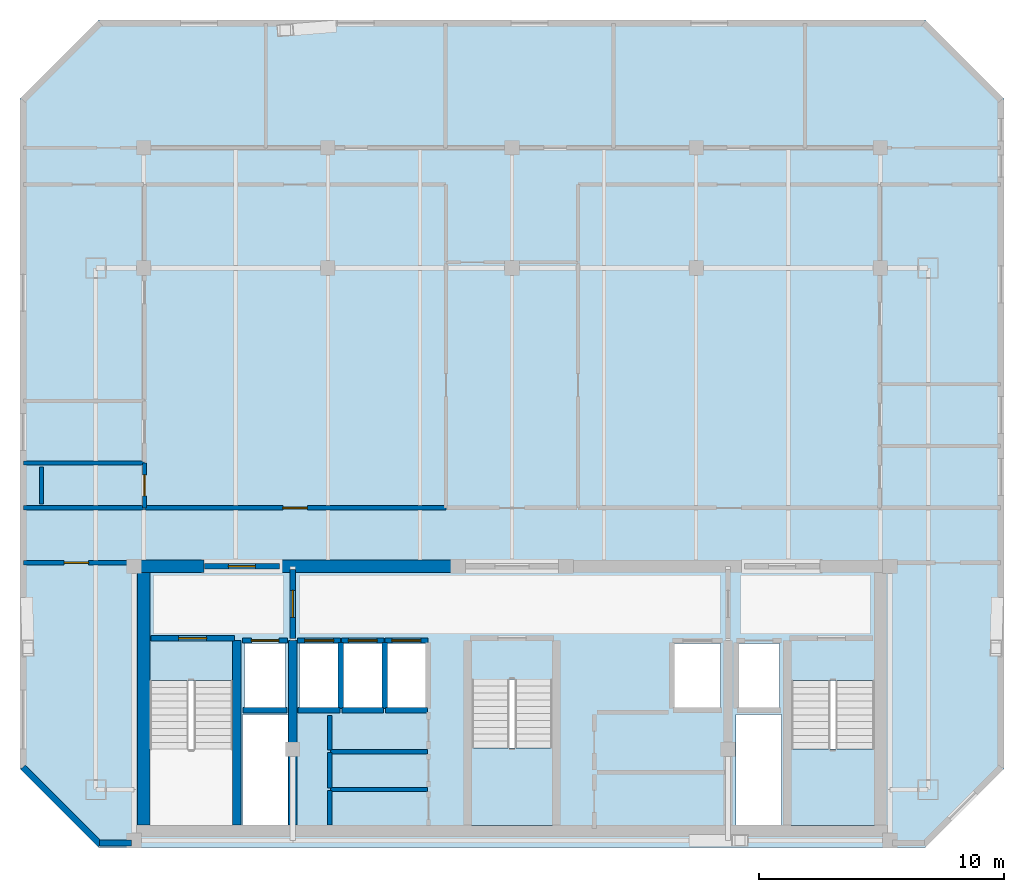
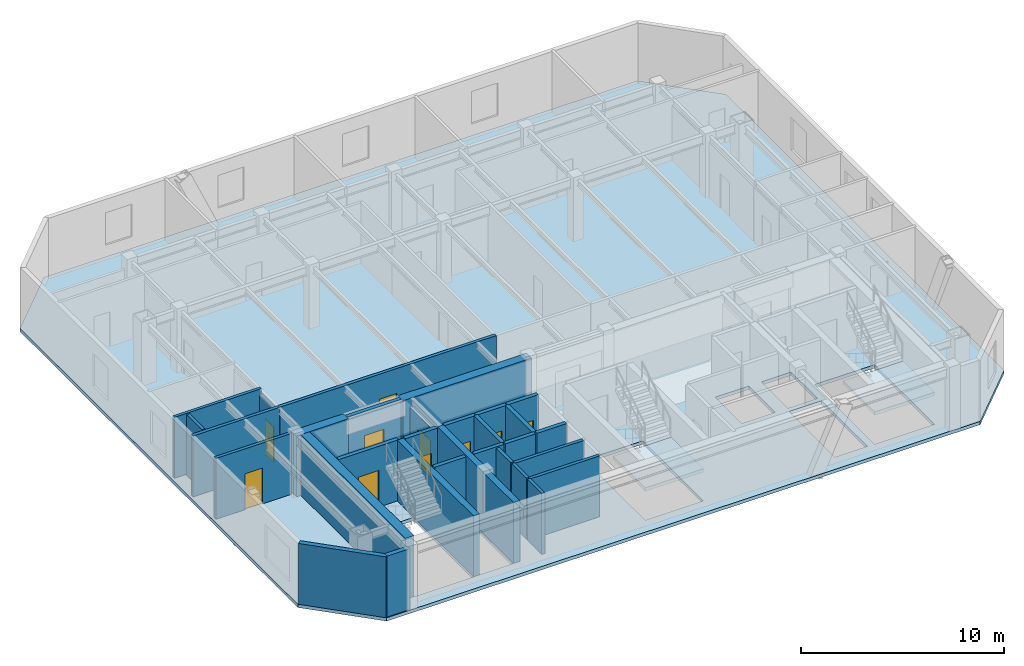
# One storey, part 2 of 6: 31 walls, 10 doors, 3 slabs, 10 openings, 2 elements without a shape of their own.
"""IFC4 building model written with IfcOpenShell, lengths in metres."""

from ifc_helpers import new_model, si_unit, direction, frame, frame_2d, origin, place, context, subcontext, project, spatial, polyline, rectangle, outline, extrude, material, layer, layer_set, type_object, element, fill, aggregate, save


model = new_model("IFC4")

# Units and contexts
model_context = context("Model", 3, precision=1e-05, world=origin(), true_north=direction((0.0, 1.0)))
body_context = subcontext(model_context, "Body", "Model", "MODEL_VIEW")
ifc_project = project(units=[si_unit("LENGTHUNIT", "METRE"), si_unit("AREAUNIT", "SQUARE_METRE"), si_unit("VOLUMEUNIT", "CUBIC_METRE"), si_unit("PLANEANGLEUNIT", "RADIAN"), si_unit("MASSUNIT", "GRAM", prefix="KILO")], contexts=[model_context])

# Site, building, storey
site_placement = place(None, origin())
site = spatial("IfcSite", under=ifc_project, at=site_placement, CompositionType="ELEMENT")
building_placement = place(site_placement, origin())
building = spatial("IfcBuilding", under=site, at=building_placement, Name="Ventersveld Concourse Tower", CompositionType="ELEMENT")
storey_placement = place(building_placement, frame((0.0, 0.0, 300.300048828125)))
storey = spatial("IfcBuildingStorey", under=building, at=storey_placement, Name="L74", CompositionType="ELEMENT", Elevation=300.300048828125)

# Slab
ifc_material_1 = material(Name="Concrete C50/60", Category="concrete")
ifc_layer_1 = layer(ifc_material_1, 0.199951171875)
ifc_layer_set_1 = layer_set([ifc_layer_1], Name="Concrete C50/60")
slab_type_1 = type_object("IfcSlabType", Name="SL-FLR-200", PredefinedType="FLOOR", material=ifc_layer_set_1)
slab_1_placement = place(storey_placement, frame((0.0, 0.0, -0.199951171875)))
element("IfcSlab", 1, at=slab_1_placement, inside=storey, type_object=slab_type_1, Name="L74 Composite Floor Slab", PredefinedType="FLOOR", context=body_context, shape_type="SweptSolid", body=[
    extrude(outline(polyline([(11.90869140625, 0.0), (45.59130859375, 0.0), (48.79150390625, 3.199951171875), (48.79150390625, 30.50439453125), (45.59130859375, 33.704345703125), (11.90869140625, 33.704345703125), (8.70849609375, 30.50439453125), (8.70849609375, 3.199951171875), (11.90869140625, 0.0)]), holes=[polyline([(13.97998046875, 6.794921875), (13.97998046875, 0.89990234375), (17.3798828125, 0.89990234375), (17.3798828125, 6.794921875), (13.97998046875, 6.794921875)]), polyline([(40.1201171875, 6.794921875), (40.1201171875, 0.89990234375), (43.52001953125, 0.89990234375), (43.52001953125, 6.794921875), (40.1201171875, 6.794921875)]), polyline([(27.10009765625, 6.844970703125), (27.10009765625, 0.89990234375), (30.39990234375, 0.89990234375), (30.39990234375, 6.844970703125), (27.10009765625, 6.844970703125)]), polyline([(17.85009765625, 5.699951171875), (19.530029296875, 5.699951171875), (19.530029296875, 8.300048828125), (17.85009765625, 8.300048828125), (17.85009765625, 5.699951171875)]), polyline([(37.969970703125, 5.699951171875), (39.64990234375, 5.699951171875), (39.64990234375, 8.300048828125), (37.969970703125, 8.300048828125), (37.969970703125, 5.699951171875)]), polyline([(35.35009765625, 5.699951171875), (37.25, 5.699951171875), (37.25, 8.300048828125), (35.35009765625, 8.300048828125), (35.35009765625, 5.699951171875)]), polyline([(20.090087890625, 5.699951171875), (21.68994140625, 5.699951171875), (21.68994140625, 8.300048828125), (20.090087890625, 8.300048828125), (20.090087890625, 5.699951171875)]), polyline([(21.8701171875, 5.699951171875), (23.469970703125, 5.699951171875), (23.469970703125, 8.300048828125), (21.8701171875, 8.300048828125), (21.8701171875, 5.699951171875)]), polyline([(23.64990234375, 5.699951171875), (25.25, 5.699951171875), (25.25, 8.300048828125), (23.64990234375, 8.300048828125), (23.64990234375, 5.699951171875)]), polyline([(17.780029296875, 0.919921875), (19.6201171875, 0.919921875), (19.6201171875, 5.419921875), (17.780029296875, 5.419921875), (17.780029296875, 0.919921875)]), polyline([(37.8798828125, 0.919921875), (39.719970703125, 0.919921875), (39.719970703125, 5.419921875), (37.8798828125, 5.419921875), (37.8798828125, 0.919921875)])]), origin(), (0.0, 0.0, 1.0), 0.199951171875),
])

# Stair, slab
stair_type_1 = type_object("IfcStairType", Name="ST-DOG-160", PredefinedType="HALF_TURN_STAIR", material=ifc_material_1)
stair_1_placement = place(storey_placement, origin())
stair_1 = element("IfcStair", 2, at=stair_1_placement, inside=storey, type_object=stair_type_1, Name="L74 Protected Tower Escape Stair ST-02", PredefinedType="HALF_TURN_STAIR")
ifc_layer_2 = layer(ifc_material_1, 0.199951171875)
ifc_layer_set_2 = layer_set([ifc_layer_2], Name="Concrete C50/60")
slab_type_2 = type_object("IfcSlabType", Name="SL-LND-200", PredefinedType="LANDING", material=ifc_layer_set_2)
slab_2_placement = place(storey_placement, frame((0.0, 0.0, 1.724853515625)))
slab_2 = element("IfcSlab", 3, at=slab_2_placement, type_object=slab_type_2, Name="ST-02 landing 1", PredefinedType="LANDING", context=body_context, shape_type="SweptSolid", body=[
    extrude(outline(polyline([(40.1201171875, 4.0), (40.1201171875, 0.89990234375), (43.52001953125, 0.89990234375), (43.52001953125, 4.0), (40.1201171875, 4.0)])), origin(), (0.0, 0.0, 1.0), 0.2001953125),
])
aggregate(stair_1, [slab_2])

stair_type_2 = type_object("IfcStairType", Name="ST-DOG-155", PredefinedType="HALF_TURN_STAIR", material=ifc_material_1)
stair_2_placement = place(storey_placement, origin())
stair_2 = element("IfcStair", 4, at=stair_2_placement, inside=storey, type_object=stair_type_2, Name="L74 Protected Central Core Escape Stair ST-03", PredefinedType="HALF_TURN_STAIR")
slab_3_placement = place(storey_placement, frame((0.0, 0.0, 1.724853515625)))
slab_3 = element("IfcSlab", 5, at=slab_3_placement, type_object=slab_type_2, Name="ST-03 landing 1", PredefinedType="LANDING", context=body_context, shape_type="SweptSolid", body=[
    extrude(outline(polyline([(27.10009765625, 4.050048828125), (27.10009765625, 0.89990234375), (30.39990234375, 0.89990234375), (30.39990234375, 4.050048828125), (27.10009765625, 4.050048828125)])), origin(), (0.0, 0.0, 1.0), 0.2001953125),
])
aggregate(stair_2, [slab_3])

# Walls
ifc_layer_3 = layer(ifc_material_1, 0.35009765625)
ifc_layer_set_3 = layer_set([ifc_layer_3], Name="Concrete C50/60")
wall_type_1 = type_object("IfcWallType", Name="WL-CORE-350U", PredefinedType="SHEAR", material=ifc_layer_set_3)
for number, where, z_axis, x_axis, name in (
    (6, (17.5400390625, 0.919921875, 0.0), (0.0, 0.0, 1.0), (0.0, 1.0, 0.0), "L74 Core Internal Shear Web W-ST1-E"),
    (7, (19.820068359375, 0.919921875, 0.0), (0.0, 0.0, 1.0), (0.0, 1.0, 0.0), "L74 Core Internal Shear Web W-FF1-E"),
):
    element("IfcWall", number, at=place(storey_placement, frame(where, z_axis=z_axis, x_axis=x_axis)), inside=storey, type_object=wall_type_1, Name=name, PredefinedType="SHEAR", context=body_context, shape_type="SweptSolid", body=[
        extrude(rectangle(XDim=7.5, YDim=0.35009765625, at=frame_2d((3.75, 0.0))), origin(), (0.0, 0.0, 1.0), 3.64990234375),
    ])
ifc_layer_4 = layer(ifc_material_1, 0.5)
ifc_layer_set_4 = layer_set([ifc_layer_4], Name="Concrete C50/60")
wall_type_2 = type_object("IfcWallType", Name="WL-CORE-500", PredefinedType="SHEAR", material=ifc_layer_set_4)
wall_1_placement = place(storey_placement, frame((13.75, 0.919921875, 0.0), z_axis=(0.0, 0.0, 1.0), x_axis=(0.0, 1.0, 0.0)))
element("IfcWall", 8, at=wall_1_placement, inside=storey, type_object=wall_type_2, Name="L74 Rear Core West Shear Wall", PredefinedType="SHEAR", context=body_context, shape_type="SweptSolid", body=[
    extrude(rectangle(XDim=10.530029296875, YDim=0.5, at=frame_2d((5.26513671875, 0.0))), origin(), (0.0, 0.0, 1.0), 3.64990234375),
])
wall_2_placement = place(storey_placement, frame((13.25, 11.449951171875, 0.0), z_axis=(0.0, 0.0, 1.0), x_axis=(1.0, 0.0, 0.0)))
element("IfcWall", 9, at=wall_2_placement, inside=storey, type_object=wall_type_2, Name="L74 Rear Core North Shear Wall NW", PredefinedType="SHEAR", context=body_context, shape_type="SweptSolid", body=[
    extrude(rectangle(XDim=2.949951171875, YDim=0.5, at=frame_2d((1.47509765625, 0.0))), origin(), (0.0, 0.0, 1.0), 3.64990234375),
])
wall_3_placement = place(storey_placement, frame((19.300048828125, 11.449951171875, 0.0), z_axis=(0.0, 0.0, 1.0), x_axis=(1.0, 0.0, 0.0)))
element("IfcWall", 10, at=wall_3_placement, inside=storey, type_object=wall_type_2, Name="L74 Rear Core North Shear Wall NML", PredefinedType="SHEAR", context=body_context, shape_type="SweptSolid", body=[
    extrude(rectangle(XDim=7.300048828125, YDim=0.5, at=frame_2d((3.64990234375, 0.0))), origin(), (0.0, 0.0, 1.0), 3.64990234375),
])
ifc_material_2 = material(Name="Fire-rated autoclaved aerated masonry blockwork", Category="masonry")
ifc_layer_5 = layer(ifc_material_2, 0.179931640625)
ifc_layer_set_5 = layer_set([ifc_layer_5], Name="Fire-rated autoclaved aerated masonry blockwork")
wall_type_3 = type_object("IfcWallType", Name="WL-CORR-180", PredefinedType="PARTITIONING", material=ifc_layer_set_5)
wall_4_placement = place(storey_placement, frame((21.360107421875, 2.360107421875, 0.0), z_axis=(0.0, 0.0, 1.0), x_axis=(1.0, 0.0, 0.0)))
element("IfcWall", 11, at=wall_4_placement, inside=storey, type_object=wall_type_3, Name="L74 Core Top Wall SP-L74-RECB1S", PredefinedType="PARTITIONING", context=body_context, shape_type="SweptSolid", body=[
    extrude(rectangle(XDim=3.93994140625, YDim=0.179931640625, at=frame_2d((1.969970703125, 0.0))), origin(), (0.0, 0.0, 1.0), 3.64990234375),
])
wall_5_placement = place(storey_placement, frame((21.320068359375, 0.909912109375, 0.0), z_axis=(0.0, 0.0, 1.0), x_axis=(0.0, 1.0, 0.0)))
element("IfcWall", 12, at=wall_5_placement, inside=storey, type_object=wall_type_3, Name="L74 Core West Wall SP-L74-RECB1S", PredefinedType="PARTITIONING", context=body_context, shape_type="SweptSolid", body=[
    extrude(rectangle(XDim=1.41015625, YDim=0.179931640625, at=frame_2d((0.705078125, 0.0))), origin(), (0.0, 0.0, 1.0), 3.64990234375),
])
wall_6_placement = place(storey_placement, frame((21.360107421875, 3.89990234375, 0.0), z_axis=(0.0, 0.0, 1.0), x_axis=(1.0, 0.0, 0.0)))
element("IfcWall", 13, at=wall_6_placement, inside=storey, type_object=wall_type_3, Name="L74 Core Top Wall SP-L74-RECB1M", PredefinedType="PARTITIONING", context=body_context, shape_type="SweptSolid", body=[
    extrude(rectangle(XDim=3.93994140625, YDim=0.179931640625, at=frame_2d((1.969970703125, 0.0))), origin(), (0.0, 0.0, 1.0), 3.64990234375),
])
wall_7_placement = place(storey_placement, frame((21.320068359375, 2.419921875, 0.0), z_axis=(0.0, 0.0, 1.0), x_axis=(0.0, 1.0, 0.0)))
element("IfcWall", 14, at=wall_7_placement, inside=storey, type_object=wall_type_3, Name="L74 Core West Wall SP-L74-RECB1M", PredefinedType="PARTITIONING", context=body_context, shape_type="SweptSolid", body=[
    extrude(rectangle(XDim=1.440185546875, YDim=0.179931640625, at=frame_2d((0.72021484375, 0.0))), origin(), (0.0, 0.0, 1.0), 3.64990234375),
])
wall_8_placement = place(storey_placement, frame((21.320068359375, 3.9599609375, 0.0), z_axis=(0.0, 0.0, 1.0), x_axis=(0.0, 1.0, 0.0)))
element("IfcWall", 15, at=wall_8_placement, inside=storey, type_object=wall_type_3, Name="L74 Core West Wall SP-L74-RECB1N", PredefinedType="PARTITIONING", context=body_context, shape_type="SweptSolid", body=[
    extrude(rectangle(XDim=1.419921875, YDim=0.179931640625, at=frame_2d((0.7099609375, 0.0))), origin(), (0.0, 0.0, 1.0), 3.64990234375),
])

# Wall, opening, door
wall_9_placement = place(storey_placement, frame((8.858154296875, 11.60009765625, 0.0), z_axis=(0.0, 0.0, 1.0), x_axis=(1.0, 0.0, 0.0)))
wall_9 = element("IfcWall", 16, at=wall_9_placement, inside=storey, type_object=wall_type_3, Name="L74 Interior Partition SP-L74-SW-GAL-SP-L74-COR", PredefinedType="PARTITIONING", context=body_context, shape_type="SweptSolid", body=[
    extrude(rectangle(XDim=4.286865234375, YDim=0.179931640625, at=frame_2d((2.1435546875, 0.0))), origin(), (0.0, 0.0, 1.0), 3.64990234375),
])
opening_1_placement = place(wall_9_placement, frame((1.643310546875, 0.0, 0.0)))
opening_1 = element("IfcOpeningElement", 17, at=opening_1_placement, cuts=wall_9, Name="Opening FD3", PredefinedType="OPENING", context=body_context, shape_type="SweptSolid", body=[
    extrude(rectangle(XDim=1.0, YDim=2.14990234375, at=frame_2d((0.5, 1.074951171875))), frame((0.0, 0.10009765625, 0.0), z_axis=(0.0, -1.0, 0.0), x_axis=(1.0, 0.0, 0.0)), (0.0, 0.0, 1.0), 0.199951171875),
])
ifc_material_3 = material(Name="Solid-core hardwood veneer timber", Category="wood")
door_type_1 = type_object("IfcDoorType", Name="DR-FLAT-100", OperationType="NOTDEFINED", PredefinedType="DOOR", material=ifc_material_3)
door_1_placement = place(opening_1_placement, origin())
door_1 = element("IfcDoor", 18, at=door_1_placement, inside=storey, type_object=door_type_1, Name="L74 Interior Door SP-L74-SW-GAL to SP-L74-COR (D-L74-3417)", OperationType="SINGLE_SWING_LEFT", OverallHeight=2.14990234375, OverallWidth=1.0, PredefinedType="DOOR", context=body_context, shape_type="SweptSolid", body=[
    extrude(rectangle(XDim=1.0, YDim=2.14990234375, at=frame_2d((0.5, 1.074951171875))), frame((0.0, 0.02490234375, 0.0), z_axis=(0.0, -1.0, 0.0), x_axis=(1.0, 0.0, 0.0)), (0.0, 0.0, 1.0), 0.050048828125),
])
fill(opening_1, door_1)

wall_10_placement = place(storey_placement, frame((13.773681640625, 13.830078125, 0.0), z_axis=(0.0, 0.0, 1.0), x_axis=(1.0, 0.0, 0.0)))
wall_10 = element("IfcWall", 19, at=wall_10_placement, inside=storey, type_object=wall_type_3, Name="L74 Interior Partition SP-L74-COR-SP-L74-74N1-WGAL1", PredefinedType="PARTITIONING", context=body_context, shape_type="SweptSolid", body=[
    extrude(rectangle(XDim=12.291259765625, YDim=0.179931640625, at=frame_2d((6.1455078125, 0.0))), origin(), (0.0, 0.0, 1.0), 3.64990234375),
])
opening_2_placement = place(wall_10_placement, frame((5.645751953125, 0.0, 0.0)))
opening_2 = element("IfcOpeningElement", 20, at=opening_2_placement, cuts=wall_10, Name="Opening FD3", PredefinedType="OPENING", context=body_context, shape_type="SweptSolid", body=[
    extrude(rectangle(XDim=1.0, YDim=2.14990234375, at=frame_2d((0.5, 1.074951171875))), frame((0.0, 0.10009765625, 0.0), z_axis=(0.0, -1.0, 0.0), x_axis=(1.0, 0.0, 0.0)), (0.0, 0.0, 1.0), 0.199951171875),
])
door_2_placement = place(opening_2_placement, origin())
door_2 = element("IfcDoor", 21, at=door_2_placement, inside=storey, type_object=door_type_1, Name="L74 Interior Door SP-L74-COR to SP-L74-74N1-WGAL1 (FD-L74-3419)", OperationType="SINGLE_SWING_LEFT", OverallHeight=2.14990234375, OverallWidth=1.0, PredefinedType="DOOR", context=body_context, shape_type="SweptSolid", body=[
    extrude(rectangle(XDim=1.0, YDim=2.14990234375, at=frame_2d((0.5, 1.074951171875))), frame((0.0, 0.02490234375, 0.0), z_axis=(0.0, -1.0, 0.0), x_axis=(1.0, 0.0, 0.0)), (0.0, 0.0, 1.0), 0.050048828125),
])
fill(opening_2, door_2)

# Walls
wall_11_placement = place(storey_placement, frame((8.858154296875, 13.830078125, 0.0), z_axis=(0.0, 0.0, 1.0), x_axis=(1.0, 0.0, 0.0)))
element("IfcWall", 22, at=wall_11_placement, inside=storey, type_object=wall_type_3, Name="L74 Interior Partition SP-L74-COR-SP-L74-74N1-BATH", PredefinedType="PARTITIONING", context=body_context, shape_type="SweptSolid", body=[
    extrude(rectangle(XDim=4.885498046875, YDim=0.179931640625, at=frame_2d((2.44287109375, 0.0))), origin(), (0.0, 0.0, 1.0), 3.64990234375),
])
ifc_layer_6 = layer(ifc_material_2, 0.219970703125)
ifc_layer_set_6 = layer_set([ifc_layer_6], Name="Fire-rated autoclaved aerated masonry blockwork")
wall_type_4 = type_object("IfcWallType", Name="WL-HOIST-220", PredefinedType="SOLIDWALL", material=ifc_layer_set_6)
wall_12_placement = place(storey_placement, frame((17.800048828125, 5.590087890625, 0.0), z_axis=(0.0, 0.0, 1.0), x_axis=(1.0, 0.0, 0.0)))
element("IfcWall", 23, at=wall_12_placement, inside=storey, type_object=wall_type_4, Name="L74 Lift Hoistway Back Wall FFL-01", PredefinedType="SOLIDWALL", context=body_context, shape_type="SweptSolid", body=[
    extrude(rectangle(XDim=1.780029296875, YDim=0.219970703125, at=frame_2d((0.89013671875, 0.0))), origin(), (0.0, 0.0, 1.0), 3.64990234375),
])

# Wall, opening, door
wall_13_placement = place(storey_placement, frame((17.780029296875, 8.429931640625, 0.0), z_axis=(0.0, 0.0, 1.0), x_axis=(1.0, 0.0, 0.0)))
wall_13 = element("IfcWall", 24, at=wall_13_placement, inside=storey, type_object=wall_type_4, Name="L74 Lift Hoistway Front Wall FFL-01", PredefinedType="SOLIDWALL", context=body_context, shape_type="SweptSolid", body=[
    extrude(rectangle(XDim=1.820068359375, YDim=0.219970703125, at=frame_2d((0.91015625, 0.0))), origin(), (0.0, 0.0, 1.0), 3.64990234375),
])
opening_3_placement = place(wall_13_placement, frame((0.35009765625, 0.0, 0.0)))
opening_3 = element("IfcOpeningElement", 25, at=opening_3_placement, cuts=wall_13, Name="Opening LD1", PredefinedType="OPENING", context=body_context, shape_type="SweptSolid", body=[
    extrude(rectangle(XDim=1.1201171875, YDim=2.25, at=frame_2d((0.56005859375, 1.125))), frame((0.0, 0.1201171875, 0.0), z_axis=(0.0, -1.0, 0.0), x_axis=(1.0, 0.0, 0.0)), (0.0, 0.0, 1.0), 0.239990234375),
])
ifc_material_4 = material(Name="Brushed stainless steel 316", Category="steel")
door_type_2 = type_object("IfcDoorType", Name="LD-FF-112", OperationType="SLIDING_TO_LEFT", PredefinedType="DOOR", material=ifc_material_4)
door_3_placement = place(opening_3_placement, origin())
door_3 = element("IfcDoor", 26, at=door_3_placement, inside=storey, type_object=door_type_2, Name="L74 Lift landing door FFL-01 (LD-L74-FFL-01)", OperationType="SLIDING_TO_RIGHT", OverallHeight=2.25, OverallWidth=1.1201171875, PredefinedType="DOOR", context=body_context, shape_type="SweptSolid", body=[
    extrude(rectangle(XDim=1.1201171875, YDim=2.25, at=frame_2d((0.56005859375, 1.125))), frame((0.0, 0.02490234375, 0.0), z_axis=(0.0, -1.0, 0.0), x_axis=(1.0, 0.0, 0.0)), (0.0, 0.0, 1.0), 0.050048828125),
])
fill(opening_3, door_3)

# Walls
wall_14_placement = place(storey_placement, frame((20.0400390625, 5.590087890625, 0.0), z_axis=(0.0, 0.0, 1.0), x_axis=(1.0, 0.0, 0.0)))
element("IfcWall", 27, at=wall_14_placement, inside=storey, type_object=wall_type_4, Name="L74 Lift Hoistway Back Wall PH-01", PredefinedType="SOLIDWALL", context=body_context, shape_type="SweptSolid", body=[
    extrude(rectangle(XDim=1.699951171875, YDim=0.219970703125, at=frame_2d((0.85009765625, 0.0))), origin(), (0.0, 0.0, 1.0), 3.64990234375),
])
wall_15_placement = place(storey_placement, frame((21.780029296875, 5.64990234375, 0.0), z_axis=(0.0, 0.0, 1.0), x_axis=(0.0, 1.0, 0.0)))
element("IfcWall", 28, at=wall_15_placement, inside=storey, type_object=wall_type_4, Name="L74 Lift Hoistway Side Wall PH-01E", PredefinedType="SOLIDWALL", context=body_context, shape_type="SweptSolid", body=[
    extrude(rectangle(XDim=2.7001953125, YDim=0.219970703125, at=frame_2d((1.35009765625, 0.0))), origin(), (0.0, 0.0, 1.0), 3.64990234375),
])

# Wall, opening, door
wall_16_placement = place(storey_placement, frame((20.02001953125, 8.429931640625, 0.0), z_axis=(0.0, 0.0, 1.0), x_axis=(1.0, 0.0, 0.0)))
wall_16 = element("IfcWall", 29, at=wall_16_placement, inside=storey, type_object=wall_type_4, Name="L74 Lift Hoistway Front Wall PH-01", PredefinedType="SOLIDWALL", context=body_context, shape_type="SweptSolid", body=[
    extrude(rectangle(XDim=1.739990234375, YDim=0.219970703125, at=frame_2d((0.8701171875, 0.0))), origin(), (0.0, 0.0, 1.0), 3.64990234375),
])
opening_4_placement = place(wall_16_placement, frame((0.280029296875, 0.0, 0.0)))
opening_4 = element("IfcOpeningElement", 30, at=opening_4_placement, cuts=wall_16, Name="Opening LD2", PredefinedType="OPENING", context=body_context, shape_type="SweptSolid", body=[
    extrude(rectangle(XDim=1.179931640625, YDim=2.199951171875, at=frame_2d((0.58984375, 1.10009765625))), frame((0.0, 0.1201171875, 0.0), z_axis=(0.0, -1.0, 0.0), x_axis=(1.0, 0.0, 0.0)), (0.0, 0.0, 1.0), 0.239990234375),
])
door_type_3 = type_object("IfcDoorType", Name="LD-PAX-118", OperationType="SLIDING_TO_LEFT", PredefinedType="DOOR", material=ifc_material_4)
door_4_placement = place(opening_4_placement, origin())
door_4 = element("IfcDoor", 31, at=door_4_placement, inside=storey, type_object=door_type_3, Name="L74 Lift landing door PH-01 (LD-L74-PH-01)", OperationType="SLIDING_TO_LEFT", OverallHeight=2.199951171875, OverallWidth=1.179931640625, PredefinedType="DOOR", context=body_context, shape_type="SweptSolid", body=[
    extrude(rectangle(XDim=1.179931640625, YDim=2.199951171875, at=frame_2d((0.58984375, 1.10009765625))), frame((0.0, 0.02490234375, 0.0), z_axis=(0.0, -1.0, 0.0), x_axis=(1.0, 0.0, 0.0)), (0.0, 0.0, 1.0), 0.050048828125),
])
fill(opening_4, door_4)

# Walls
wall_17_placement = place(storey_placement, frame((21.820068359375, 5.590087890625, 0.0), z_axis=(0.0, 0.0, 1.0), x_axis=(1.0, 0.0, 0.0)))
element("IfcWall", 32, at=wall_17_placement, inside=storey, type_object=wall_type_4, Name="L74 Lift Hoistway Back Wall PH-02", PredefinedType="SOLIDWALL", context=body_context, shape_type="SweptSolid", body=[
    extrude(rectangle(XDim=1.699951171875, YDim=0.219970703125, at=frame_2d((0.85009765625, 0.0))), origin(), (0.0, 0.0, 1.0), 3.64990234375),
])
wall_18_placement = place(storey_placement, frame((23.56005859375, 5.64990234375, 0.0), z_axis=(0.0, 0.0, 1.0), x_axis=(0.0, 1.0, 0.0)))
element("IfcWall", 33, at=wall_18_placement, inside=storey, type_object=wall_type_4, Name="L74 Lift Hoistway Side Wall PH-02E", PredefinedType="SOLIDWALL", context=body_context, shape_type="SweptSolid", body=[
    extrude(rectangle(XDim=2.7001953125, YDim=0.219970703125, at=frame_2d((1.35009765625, 0.0))), origin(), (0.0, 0.0, 1.0), 3.64990234375),
])

# Wall, opening, door
wall_19_placement = place(storey_placement, frame((21.800048828125, 8.429931640625, 0.0), z_axis=(0.0, 0.0, 1.0), x_axis=(1.0, 0.0, 0.0)))
wall_19 = element("IfcWall", 34, at=wall_19_placement, inside=storey, type_object=wall_type_4, Name="L74 Lift Hoistway Front Wall PH-02", PredefinedType="SOLIDWALL", context=body_context, shape_type="SweptSolid", body=[
    extrude(rectangle(XDim=1.739990234375, YDim=0.219970703125, at=frame_2d((0.8701171875, 0.0))), origin(), (0.0, 0.0, 1.0), 3.64990234375),
])
opening_5_placement = place(wall_19_placement, frame((0.280029296875, 0.0, 0.0)))
opening_5 = element("IfcOpeningElement", 35, at=opening_5_placement, cuts=wall_19, Name="Opening LD2", PredefinedType="OPENING", context=body_context, shape_type="SweptSolid", body=[
    extrude(rectangle(XDim=1.179931640625, YDim=2.199951171875, at=frame_2d((0.58984375, 1.10009765625))), frame((0.0, 0.1201171875, 0.0), z_axis=(0.0, -1.0, 0.0), x_axis=(1.0, 0.0, 0.0)), (0.0, 0.0, 1.0), 0.239990234375),
])
door_5_placement = place(opening_5_placement, origin())
door_5 = element("IfcDoor", 36, at=door_5_placement, inside=storey, type_object=door_type_3, Name="L74 Lift landing door PH-02 (LD-L74-PH-02)", OperationType="SLIDING_TO_RIGHT", OverallHeight=2.199951171875, OverallWidth=1.179931640625, PredefinedType="DOOR", context=body_context, shape_type="SweptSolid", body=[
    extrude(rectangle(XDim=1.179931640625, YDim=2.199951171875, at=frame_2d((0.58984375, 1.10009765625))), frame((0.0, 0.02490234375, 0.0), z_axis=(0.0, -1.0, 0.0), x_axis=(1.0, 0.0, 0.0)), (0.0, 0.0, 1.0), 0.050048828125),
])
fill(opening_5, door_5)

# Wall
wall_20_placement = place(storey_placement, frame((23.60009765625, 5.590087890625, 0.0), z_axis=(0.0, 0.0, 1.0), x_axis=(1.0, 0.0, 0.0)))
element("IfcWall", 37, at=wall_20_placement, inside=storey, type_object=wall_type_4, Name="L74 Lift Hoistway Back Wall PH-03", PredefinedType="SOLIDWALL", context=body_context, shape_type="SweptSolid", body=[
    extrude(rectangle(XDim=1.699951171875, YDim=0.219970703125, at=frame_2d((0.85009765625, 0.0))), origin(), (0.0, 0.0, 1.0), 3.64990234375),
])

# Wall, opening, door
wall_21_placement = place(storey_placement, frame((23.580078125, 8.429931640625, 0.0), z_axis=(0.0, 0.0, 1.0), x_axis=(1.0, 0.0, 0.0)))
wall_21 = element("IfcWall", 38, at=wall_21_placement, inside=storey, type_object=wall_type_4, Name="L74 Lift Hoistway Front Wall PH-03", PredefinedType="SOLIDWALL", context=body_context, shape_type="SweptSolid", body=[
    extrude(rectangle(XDim=1.739990234375, YDim=0.219970703125, at=frame_2d((0.8701171875, 0.0))), origin(), (0.0, 0.0, 1.0), 3.64990234375),
])
opening_6_placement = place(wall_21_placement, frame((0.280029296875, 0.0, 0.0)))
opening_6 = element("IfcOpeningElement", 39, at=opening_6_placement, cuts=wall_21, Name="Opening LD2", PredefinedType="OPENING", context=body_context, shape_type="SweptSolid", body=[
    extrude(rectangle(XDim=1.179931640625, YDim=2.199951171875, at=frame_2d((0.58984375, 1.10009765625))), frame((0.0, 0.1201171875, 0.0), z_axis=(0.0, -1.0, 0.0), x_axis=(1.0, 0.0, 0.0)), (0.0, 0.0, 1.0), 0.239990234375),
])
door_6_placement = place(opening_6_placement, origin())
door_6 = element("IfcDoor", 40, at=door_6_placement, inside=storey, type_object=door_type_3, Name="L74 Lift landing door PH-03 (LD-L74-PH-03)", OperationType="SLIDING_TO_LEFT", OverallHeight=2.199951171875, OverallWidth=1.179931640625, PredefinedType="DOOR", context=body_context, shape_type="SweptSolid", body=[
    extrude(rectangle(XDim=1.179931640625, YDim=2.199951171875, at=frame_2d((0.58984375, 1.10009765625))), frame((0.0, 0.02490234375, 0.0), z_axis=(0.0, -1.0, 0.0), x_axis=(1.0, 0.0, 0.0)), (0.0, 0.0, 1.0), 0.050048828125),
])
fill(opening_6, door_6)

wall_22_placement = place(storey_placement, frame((14.0400390625, 8.52001953125, 0.0), z_axis=(0.0, 0.0, 1.0), x_axis=(1.0, 0.0, 0.0)))
wall_22 = element("IfcWall", 41, at=wall_22_placement, inside=storey, type_object=wall_type_4, Name="L74 Escape Stair ST01 Fire Wall", PredefinedType="SOLIDWALL", context=body_context, shape_type="SweptSolid", body=[
    extrude(rectangle(XDim=3.39990234375, YDim=0.219970703125, at=frame_2d((1.699951171875, 0.0))), origin(), (0.0, 0.0, 1.0), 3.64990234375),
])
opening_7_placement = place(wall_22_placement, frame((1.125, 0.0, 0.0)))
opening_7 = element("IfcOpeningElement", 42, at=opening_7_placement, cuts=wall_22, Name="Opening FD1", PredefinedType="OPENING", context=body_context, shape_type="SweptSolid", body=[
    extrude(rectangle(XDim=1.14990234375, YDim=2.199951171875, at=frame_2d((0.574951171875, 1.10009765625))), frame((0.0, 0.1201171875, 0.0), z_axis=(0.0, -1.0, 0.0), x_axis=(1.0, 0.0, 0.0)), (0.0, 0.0, 1.0), 0.239990234375),
])
ifc_material_5 = material(Name="Galvanised painted steel", Category="steel")
door_type_4 = type_object("IfcDoorType", Name="DR-STAIR-115", OperationType="NOTDEFINED", PredefinedType="DOOR", material=ifc_material_5)
door_7_placement = place(opening_7_placement, origin())
door_7 = element("IfcDoor", 43, at=door_7_placement, inside=storey, type_object=door_type_4, Name="L74 Escape Stair Door ST01 (SD-L74-3404)", OperationType="SINGLE_SWING_LEFT", OverallHeight=2.199951171875, OverallWidth=1.14990234375, PredefinedType="DOOR", context=body_context, shape_type="SweptSolid", body=[
    extrude(rectangle(XDim=1.14990234375, YDim=2.199951171875, at=frame_2d((0.574951171875, 1.10009765625))), frame((0.0, 0.02490234375, 0.0), z_axis=(0.0, -1.0, 0.0), x_axis=(1.0, 0.0, 0.0)), (0.0, 0.0, 1.0), 0.050048828125),
])
fill(opening_7, door_7)

wall_23_placement = place(storey_placement, frame((19.820068359375, 8.52001953125, 0.0), z_axis=(0.0, 0.0, 1.0), x_axis=(0.0, 1.0, 0.0)))
wall_23 = element("IfcWall", 44, at=wall_23_placement, inside=storey, type_object=wall_type_4, Name="L74 Firefighting Lobby Smoke-Stop Wall FFLW-SEP", PredefinedType="SOLIDWALL", context=body_context, shape_type="SweptSolid", body=[
    extrude(rectangle(XDim=2.800048828125, YDim=0.219970703125, at=frame_2d((1.39990234375, 0.0))), origin(), (0.0, 0.0, 1.0), 3.10546875),
])
opening_8_placement = place(wall_23_placement, frame((0.85009765625, 0.0, 0.0)))
opening_8 = element("IfcOpeningElement", 45, at=opening_8_placement, cuts=wall_23, Name="Opening FD2", PredefinedType="OPENING", context=body_context, shape_type="SweptSolid", body=[
    extrude(rectangle(XDim=1.10009765625, YDim=2.199951171875, at=frame_2d((0.550048828125, 1.10009765625))), frame((0.0, 0.1201171875, 0.0), z_axis=(0.0, -1.0, 0.0), x_axis=(1.0, 0.0, 0.0)), (0.0, 0.0, 1.0), 0.239990234375),
])
door_type_5 = type_object("IfcDoorType", Name="DR-FFL-110", OperationType="NOTDEFINED", PredefinedType="DOOR", material=ifc_material_5)
door_8_placement = place(opening_8_placement, origin())
door_8 = element("IfcDoor", 46, at=door_8_placement, inside=storey, type_object=door_type_5, Name="L74 Firefighting Lobby Door FFLW-SEP (FD-L74-3407)", OperationType="SINGLE_SWING_LEFT", OverallHeight=2.199951171875, OverallWidth=1.10009765625, PredefinedType="DOOR", context=body_context, shape_type="SweptSolid", body=[
    extrude(rectangle(XDim=1.10009765625, YDim=2.199951171875, at=frame_2d((0.550048828125, 1.10009765625))), frame((0.0, 0.02490234375, 0.0), z_axis=(0.0, -1.0, 0.0), x_axis=(1.0, 0.0, 0.0)), (0.0, 0.0, 1.0), 0.050048828125),
])
fill(opening_8, door_8)

wall_24_placement = place(storey_placement, frame((16.22998046875, 11.449951171875, 0.0), z_axis=(0.0, 0.0, 1.0), x_axis=(1.0, 0.0, 0.0)))
wall_24 = element("IfcWall", 47, at=wall_24_placement, inside=storey, type_object=wall_type_4, Name="L74 Core North Fire Portal FFLW-OUT", PredefinedType="SOLIDWALL", context=body_context, shape_type="SweptSolid", body=[
    extrude(rectangle(XDim=3.0400390625, YDim=0.219970703125, at=frame_2d((1.52001953125, 0.0))), origin(), (0.0, 0.0, 1.0), 3.64990234375),
])
opening_9_placement = place(wall_24_placement, frame((0.969970703125, 0.0, 0.0)))
opening_9 = element("IfcOpeningElement", 48, at=opening_9_placement, cuts=wall_24, Name="Opening FD2", PredefinedType="OPENING", context=body_context, shape_type="SweptSolid", body=[
    extrude(rectangle(XDim=1.10009765625, YDim=2.199951171875, at=frame_2d((0.550048828125, 1.10009765625))), frame((0.0, 0.1201171875, 0.0), z_axis=(0.0, -1.0, 0.0), x_axis=(1.0, 0.0, 0.0)), (0.0, 0.0, 1.0), 0.239990234375),
])
door_9_placement = place(opening_9_placement, origin())
door_9 = element("IfcDoor", 49, at=door_9_placement, inside=storey, type_object=door_type_5, Name="L74 Core Lobby Fire Door FFLW-OUT (FD-L74-3409)", OperationType="SINGLE_SWING_RIGHT", OverallHeight=2.199951171875, OverallWidth=1.10009765625, PredefinedType="DOOR", context=body_context, shape_type="SweptSolid", body=[
    extrude(rectangle(XDim=1.10009765625, YDim=2.199951171875, at=frame_2d((0.550048828125, 1.10009765625))), frame((0.0, 0.02490234375, 0.0), z_axis=(0.0, -1.0, 0.0), x_axis=(1.0, 0.0, 0.0)), (0.0, 0.0, 1.0), 0.050048828125),
])
fill(opening_9, door_9)

# Walls
ifc_material_6 = material(Name="Precast concrete C45/55", Category="concrete")
ifc_layer_7 = layer(ifc_material_6, 0.260009765625)
ifc_layer_set_7 = layer_set([ifc_layer_7], Name="Precast concrete C45/55")
wall_type_5 = type_object("IfcWallType", Name="WL-PREC-260", PredefinedType="SOLIDWALL", material=ifc_layer_set_7)
wall_25_placement = place(storey_placement, frame((11.948486328125, 0.179931640625, 0.0), z_axis=(0.0, 0.0, 1.0), x_axis=(1.0, 0.0, 0.0)))
element("IfcWall", 50, at=wall_25_placement, inside=storey, type_object=wall_type_5, Name="L74 South-West Flank Precast Wall", PredefinedType="SOLIDWALL", context=body_context, shape_type="SweptSolid", body=[
    extrude(rectangle(XDim=1.301513671875, YDim=0.260009765625, at=frame_2d((0.65087890625, 0.0))), origin(), (0.0, 0.0, 1.0), 3.64990234375),
])
wall_26_placement = place(storey_placement, frame((8.828857421875, 3.263671875, 0.0), z_axis=(0.0, 0.0, 1.0), x_axis=(0.707079321262, -0.707134240044, 0.0)))
element("IfcWall", 51, at=wall_26_placement, inside=storey, type_object=wall_type_5, Name="L74 Highveld Precast Facade Wall E08", PredefinedType="SOLIDWALL", context=body_context, shape_type="SweptSolid", body=[
    extrude(rectangle(XDim=4.445556640625, YDim=0.260009765625, at=frame_2d((2.22265625, 0.0))), origin(), (0.0, 0.0, 1.0), 3.64990234375),
])

# Wall, opening, door
ifc_material_7 = material(Name="Autoclaved aerated masonry blockwork", Category="masonry")
ifc_layer_8 = layer(ifc_material_7, 0.1650390625)
ifc_layer_set_8 = layer_set([ifc_layer_8], Name="Autoclaved aerated masonry blockwork")
wall_type_6 = type_object("IfcWallType", Name="WL-WET-165", PredefinedType="PLUMBINGWALL", material=ifc_layer_set_8)
wall_27_placement = place(storey_placement, frame((13.778564453125, 13.824951171875, 0.0), z_axis=(0.0, 0.0, 1.0), x_axis=(0.0, 1.0, 0.0)))
wall_27 = element("IfcWall", 52, at=wall_27_placement, inside=storey, type_object=wall_type_6, Name="L74 Interior Partition SP-L74-74N1-WGAL1-SP-L74-74N1-BATH", PredefinedType="PLUMBINGWALL", context=body_context, shape_type="SweptSolid", body=[
    extrude(rectangle(XDim=1.840087890625, YDim=0.1650390625, at=frame_2d((0.919921875, 0.0))), origin(), (0.0, 0.0, 1.0), 3.294921875),
])
opening_10_placement = place(wall_27_placement, frame((0.4951171875, 0.0, 0.0)))
opening_10 = element("IfcOpeningElement", 53, at=opening_10_placement, cuts=wall_27, Name="Opening ID2", PredefinedType="OPENING", context=body_context, shape_type="SweptSolid", body=[
    extrude(rectangle(XDim=0.85009765625, YDim=2.10009765625, at=frame_2d((0.425048828125, 1.050048828125))), frame((0.0, 0.092529296875, 0.0), z_axis=(0.0, -1.0, 0.0), x_axis=(1.0, 0.0, 0.0)), (0.0, 0.0, 1.0), 0.18505859375),
])
door_type_6 = type_object("IfcDoorType", Name="DR-BATH-085", OperationType="NOTDEFINED", PredefinedType="DOOR", material=ifc_material_3)
door_10_placement = place(opening_10_placement, origin())
door_10 = element("IfcDoor", 54, at=door_10_placement, inside=storey, type_object=door_type_6, Name="L74 Interior Door SP-L74-74N1-WGAL1 to SP-L74-74N1-BATH (D-L74-3424)", OperationType="SINGLE_SWING_RIGHT", OverallHeight=2.10009765625, OverallWidth=0.85009765625, PredefinedType="DOOR", context=body_context, shape_type="SweptSolid", body=[
    extrude(rectangle(XDim=0.85009765625, YDim=2.10009765625, at=frame_2d((0.425048828125, 1.050048828125))), frame((0.0, 0.02490234375, 0.0), z_axis=(0.0, -1.0, 0.0), x_axis=(1.0, 0.0, 0.0)), (0.0, 0.0, 1.0), 0.050048828125),
])
fill(opening_10, door_10)

# Walls
wall_28_placement = place(storey_placement, frame((8.858154296875, 15.659912109375, 0.0), z_axis=(0.0, 0.0, 1.0), x_axis=(1.0, 0.0, 0.0)))
element("IfcWall", 55, at=wall_28_placement, inside=storey, type_object=wall_type_6, Name="L74 Interior Partition SP-L74-74N1-BATH-SP-L74-74N1-PANL2", PredefinedType="PLUMBINGWALL", context=body_context, shape_type="SweptSolid", body=[
    extrude(rectangle(XDim=4.925537109375, YDim=0.1650390625, at=frame_2d((2.462890625, 0.0))), origin(), (0.0, 0.0, 1.0), 3.64990234375),
])
wall_29_placement = place(storey_placement, frame((9.588623046875, 13.9951171875, 0.0), z_axis=(0.0, 0.0, 1.0), x_axis=(0.0, 1.0, 0.0)))
element("IfcWall", 56, at=wall_29_placement, inside=storey, type_object=wall_type_6, Name="L74 Room Enclosure Wall SP-L74-74N1-BATH", PredefinedType="PLUMBINGWALL", context=body_context, shape_type="SweptSolid", body=[
    extrude(rectangle(XDim=1.5, YDim=0.1650390625, at=frame_2d((0.75, 0.0))), origin(), (0.0, 0.0, 1.0), 3.64990234375),
])

save(model, "model.ifc")
